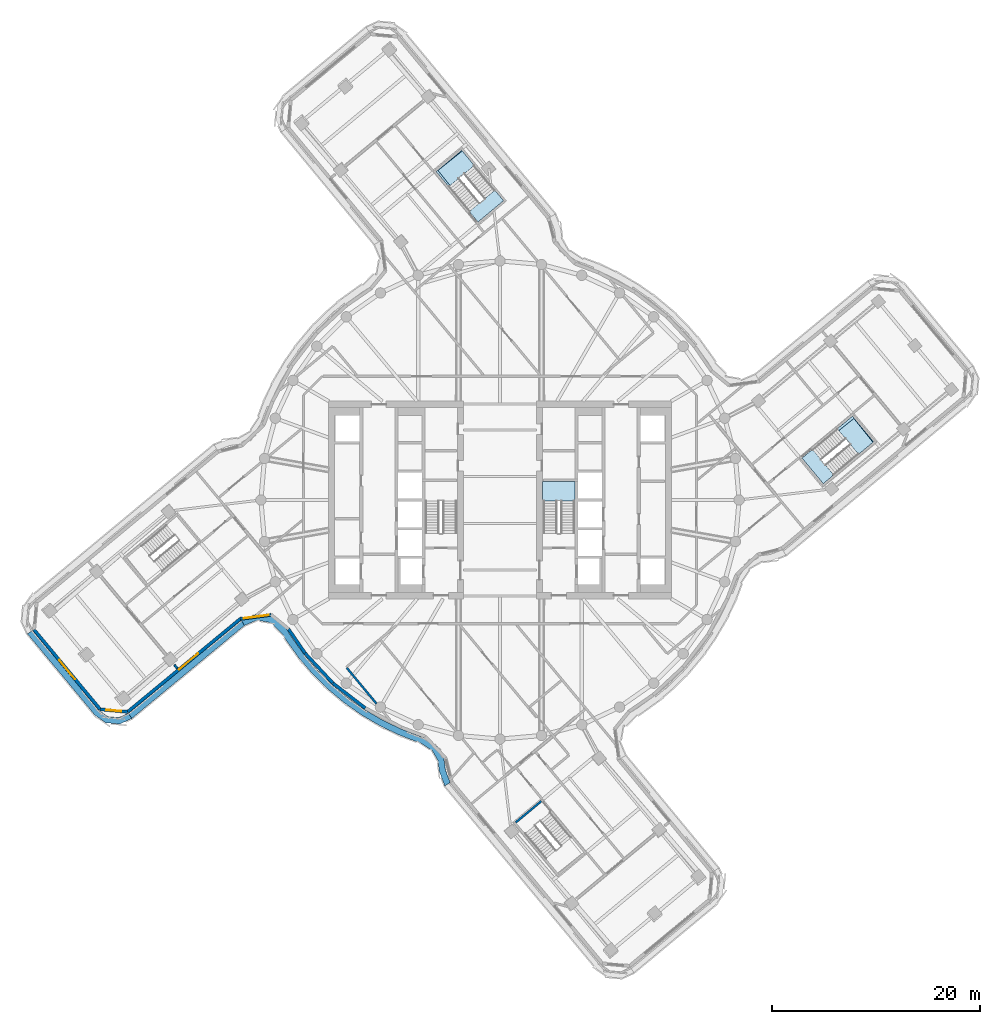
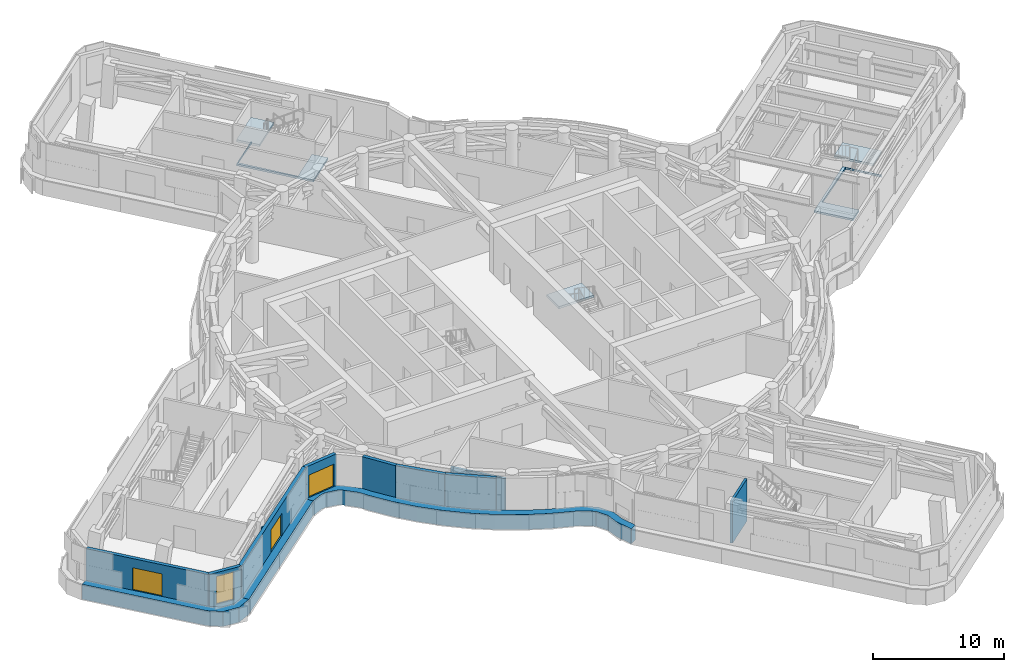
# One storey, part 6 of 22: 10 walls, 5 slabs, 4 windows, 3 members, 4 openings, 3 elements without a shape of their own.
"""IFC4 building model written with IfcOpenShell, lengths in metres."""

from ifc_helpers import new_model, si_unit, direction, frame, frame_2d, origin, place, context, subcontext, project, spatial, polyline, rectangle, outline, extrude, material, layer, layer_set, type_object, element, fill, aggregate, save


model = new_model("IFC4")

# Units and contexts
model_context = context("Model", 3, precision=1e-05, world=origin(), true_north=direction((0.0, 1.0)))
body_context = subcontext(model_context, "Body", "Model", "MODEL_VIEW")
ifc_project = project(units=[si_unit("LENGTHUNIT", "METRE"), si_unit("AREAUNIT", "SQUARE_METRE"), si_unit("VOLUMEUNIT", "CUBIC_METRE"), si_unit("PLANEANGLEUNIT", "RADIAN"), si_unit("MASSUNIT", "GRAM", prefix="KILO")], contexts=[model_context])

# Member
ifc_material_1 = material(Name="Aluminium and insulated spandrel panel", Category="aluminium")
member_type = type_object("IfcMemberType", Name="Floor-edge blade transom", PredefinedType="USERDEFINED", material=ifc_material_1)
site_placement = place(None, origin())
building_placement = place(site_placement, origin())
storey_placement = place(building_placement, frame((0.0, 0.0, 178.0)))
member_1_placement = place(storey_placement, origin())
member_1 = element("IfcMember", 1, at=member_1_placement, type_object=member_type, Name="CWT-L44-00", ObjectType="TRANSOM", PredefinedType="USERDEFINED", context=body_context, shape_type="SweptSolid", body=[
    extrude(outline(polyline([(-44.9443359375, -12.5517578125), (-38.556396484375, -20.245361328125), (-37.71142578125, -20.843505859375), (-36.6806640625, -20.939208984375), (-35.739990234375, -20.506591796875), (-35.41845703125, -21.01904296875), (-36.575927734375, -21.551513671875), (-37.927001953125, -21.42626953125), (-38.967529296875, -20.689453125), (-45.45654296875, -12.874267578125), (-44.9443359375, -12.5517578125)])), origin(), (0.0, 0.0, 1.0), 1.39990234375),
])

member_2_placement = place(storey_placement, origin())
member_2 = element("IfcMember", 2, at=member_2_placement, type_object=member_type, Name="CWT-L44-01", ObjectType="TRANSOM", PredefinedType="USERDEFINED", context=body_context, shape_type="SweptSolid", body=[
    extrude(outline(polyline([(-35.739990234375, -20.506591796875), (-24.895263671875, -11.555419921875), (-24.57958984375, -12.072998046875), (-35.41845703125, -21.01904296875), (-35.739990234375, -20.506591796875)])), origin(), (0.0, 0.0, 1.0), 1.39990234375),
])

member_3_placement = place(storey_placement, origin())
member_3 = element("IfcMember", 3, at=member_3_placement, type_object=member_type, Name="CWT-L44-02", ObjectType="TRANSOM", PredefinedType="USERDEFINED", context=body_context, shape_type="SweptSolid", body=[
    extrude(outline(polyline([(-24.895263671875, -11.555419921875), (-23.729248046875, -11.05517578125), (-23.177490234375, -10.989990234375), (-22.070556640625, -11.180419921875), (-21.572021484375, -11.426025390625), (-20.46044921875, -12.508544921875), (-20.031982421875, -13.2109375), (-18.87255859375, -14.820068359375), (-17.584228515625, -16.327880859375), (-16.17578125, -17.72412109375), (-14.656982421875, -18.99951171875), (-13.0380859375, -20.14501953125), (-11.329833984375, -21.15283203125), (-9.54443359375, -22.01611328125), (-7.7724609375, -22.703857421875), (-7.268798828125, -22.8828125), (-6.056640625, -23.691162109375), (-5.391357421875, -24.85693359375), (-5.250732421875, -25.955322265625), (-4.7900390625, -27.18896484375), (-5.316650390625, -27.494140625), (-5.837158203125, -26.100341796875), (-5.971435546875, -25.051025390625), (-6.50732421875, -24.11181640625), (-7.539794921875, -23.42333984375), (-7.9814453125, -23.266357421875), (-9.783935546875, -22.566650390625), (-11.613525390625, -21.68212890625), (-13.3642578125, -20.64892578125), (-15.023681640625, -19.474853515625), (-16.580810546875, -18.167724609375), (-18.0244140625, -16.736572265625), (-19.344970703125, -15.19091796875), (-20.5322265625, -13.54296875), (-20.93310546875, -12.885498046875), (-21.922607421875, -11.922119140625), (-22.2578125, -11.757080078125), (-23.193359375, -11.59619140625), (-23.572509765625, -11.640869140625), (-24.57958984375, -12.072998046875), (-24.895263671875, -11.555419921875)])), origin(), (0.0, 0.0, 1.0), 1.39990234375),
])

# Site, building, storey
site = spatial("IfcSite", under=ifc_project, at=site_placement, CompositionType="ELEMENT")
building = spatial("IfcBuilding", under=site, at=building_placement, Name="Tamarind Cross Interchange Tower", CompositionType="ELEMENT")
storey = spatial("IfcBuildingStorey", under=building, at=storey_placement, Name="L44", CompositionType="ELEMENT", Elevation=178.0)

# Slabs
ifc_material_2 = material(Name="Concrete C40", Category="concrete")
ifc_layer_1 = layer(ifc_material_2, 0.179931640625)
ifc_layer_set_1 = layer_set([ifc_layer_1], Name="Concrete C40")
slab_type_1 = type_object("IfcSlabType", Name="Composite slab 180 Concrete C40", PredefinedType="FLOOR", material=ifc_layer_set_1)
slab_1_placement = place(storey_placement, frame((0.0, 0.0, -0.179931640625)))
element("IfcSlab", 4, at=slab_1_placement, inside=storey, type_object=slab_type_1, Name="Floor slab L44", PredefinedType="FLOOR", context=body_context, shape_type="SweptSolid", body=[
    extrude(outline(polyline([(-3.67919921875, 33.63232421875), (-6.141357421875, 31.588134765625), (-2.116943359375, 26.7412109375), (0.34521484375, 28.785400390625), (-0.440185546875, 29.73095703125), (-0.492919921875, 29.794921875), (-2.8662109375, 27.82421875), (-5.965576171875, 31.698486328125), (-3.626953125, 33.5693359375), (-3.67919921875, 33.63232421875)])), origin(), (0.0, 0.0, 1.0), 0.179931640625),
])
slab_2_placement = place(storey_placement, frame((0.0, 0.0, -0.179931640625)))
element("IfcSlab", 5, at=slab_2_placement, inside=storey, type_object=slab_type_1, Name="Floor slab L44", PredefinedType="FLOOR", context=body_context, shape_type="SweptSolid", body=[
    extrude(outline(polyline([(34.041259765625, 7.839599609375), (35.877685546875, 5.543701171875), (35.9404296875, 5.595703125), (33.896484375, 8.0576171875), (29.04931640625, 4.033203125), (31.093505859375, 1.5712890625), (32.102783203125, 2.409423828125), (30.16748046875, 4.740478515625), (34.041259765625, 7.839599609375)])), origin(), (0.0, 0.0, 1.0), 0.179931640625),
])

# Stair, slab
ifc_material_3 = material(Name="Exit stair")
stair_type = type_object("IfcStairType", Name="Exit stair", PredefinedType="HALF_TURN_STAIR", material=ifc_material_3)
stair_1_placement = place(storey_placement, origin())
stair_1 = element("IfcStair", 6, at=stair_1_placement, inside=storey, type_object=stair_type, Name="L44 exit stair ST2", PredefinedType="HALF_TURN_STAIR")
ifc_layer_2 = layer(ifc_material_2, 0.199951171875)
ifc_layer_set_2 = layer_set([ifc_layer_2], Name="Concrete C40")
slab_type_2 = type_object("IfcSlabType", Name="Stair landing", PredefinedType="LANDING", material=ifc_layer_set_2)
slab_3_placement = place(storey_placement, frame((0.0, 0.0, 2.050048828125)))
slab_3 = element("IfcSlab", 7, at=slab_3_placement, type_object=slab_type_2, Name="ST2 landing 1", PredefinedType="LANDING", context=body_context, shape_type="SweptSolid", body=[
    extrude(outline(polyline([(7.199951171875, -0.080078125), (7.199951171875, 1.800048828125), (4.10009765625, 1.800048828125), (4.10009765625, -0.080078125), (7.199951171875, -0.080078125)])), origin(), (0.0, 0.0, 1.0), 0.199951171875),
])
aggregate(stair_1, [slab_3])

stair_2_placement = place(storey_placement, origin())
stair_2 = element("IfcStair", 8, at=stair_2_placement, inside=storey, type_object=stair_type, Name="L44 exit stair ST3", PredefinedType="HALF_TURN_STAIR")
slab_4_placement = place(storey_placement, frame((0.0, 0.0, 2.050048828125)))
slab_4 = element("IfcSlab", 9, at=slab_4_placement, type_object=slab_type_2, Name="ST3 landing 1", PredefinedType="LANDING", context=body_context, shape_type="SweptSolid", body=[
    extrude(outline(polyline([(34.48486328125, 4.38720703125), (35.9404296875, 5.595703125), (33.896240234375, 8.0576171875), (32.440673828125, 6.84912109375), (34.48486328125, 4.38720703125)])), origin(), (0.0, 0.0, 1.0), 0.199951171875),
])
aggregate(stair_2, [slab_4])

stair_3_placement = place(storey_placement, origin())
stair_3 = element("IfcStair", 10, at=stair_3_placement, inside=storey, type_object=stair_type, Name="L44 exit stair ST4", PredefinedType="HALF_TURN_STAIR")
slab_5_placement = place(storey_placement, frame((0.0, 0.0, 2.050048828125)))
slab_5 = element("IfcSlab", 11, at=slab_5_placement, type_object=slab_type_2, Name="ST4 landing 1", PredefinedType="LANDING", context=body_context, shape_type="SweptSolid", body=[
    extrude(outline(polyline([(-2.470703125, 32.1767578125), (-3.679443359375, 33.63232421875), (-6.141357421875, 31.588134765625), (-4.9326171875, 30.132568359375), (-2.470703125, 32.1767578125)])), origin(), (0.0, 0.0, 1.0), 0.199951171875),
])
aggregate(stair_3, [slab_5])

# Walls
ifc_material_4 = material(Name="Gypsum board partition on steel studs", Category="steel")
ifc_layer_3 = layer(ifc_material_4, 0.199951171875)
ifc_layer_set_3 = layer_set([ifc_layer_3], Name="Gypsum board partition on steel studs")
wall_type_1 = type_object("IfcWallType", Name="Partition 200 mm EI 180", PredefinedType="PARTITIONING", material=ifc_layer_set_3)
wall_1_placement = place(storey_placement, frame((-31.31494140625, -15.8623046875, 0.0), z_axis=(0.0, 0.0, 1.0), x_axis=(0.63883766057, -0.769341564871, 0.0)))
element("IfcWall", 12, at=wall_1_placement, inside=storey, type_object=wall_type_1, Name="Partition L44-003", PredefinedType="PARTITIONING", context=body_context, shape_type="SweptSolid", body=[
    extrude(rectangle(XDim=0.4638671875, YDim=0.199951171875, at=frame_2d((0.23193359375, 0.0))), origin(), (0.0, 0.0, 1.0), 3.659912109375),
])
wall_2_placement = place(storey_placement, frame((-14.739013671875, -16.1455078125, 0.0), z_axis=(0.0, 0.0, 1.0), x_axis=(0.638759023873, -0.769406855584, 0.0)))
element("IfcWall", 13, at=wall_2_placement, inside=storey, type_object=wall_type_1, Name="Partition L44-006", PredefinedType="PARTITIONING", context=body_context, shape_type="SweptSolid", body=[
    extrude(rectangle(XDim=4.48486328125, YDim=0.199951171875, at=frame_2d((2.242431640625, 0.0))), origin(), (0.0, 0.0, 1.0), 3.659912109375),
])

# Wall, opening, window
ifc_material_5 = material(Name="Precast concrete C40", Category="concrete")
ifc_layer_4 = layer(ifc_material_5, 0.300048828125)
ifc_layer_set_4 = layer_set([ifc_layer_4], Name="Precast concrete C40")
wall_type_2 = type_object("IfcWallType", Name="Plant louvre wall", PredefinedType="SOLIDWALL", material=ifc_layer_set_4)
wall_3_placement = place(storey_placement, frame((-44.81640625, -12.470947265625, 0.0), z_axis=(0.0, 0.0, 1.0), x_axis=(0.638801916699, -0.769371244083, 0.0)))
wall_3 = element("IfcWall", 14, at=wall_3_placement, inside=storey, type_object=wall_type_2, Name="EXW-L44-00-00", PredefinedType="SOLIDWALL", context=body_context, shape_type="SweptSolid", body=[
    extrude(rectangle(XDim=9.96044921875, YDim=0.300048828125, at=frame_2d((4.980224609375, 0.0))), origin(), (0.0, 0.0, 1.0), 4.360107421875),
])
opening_1_placement = place(wall_3_placement, frame((3.800048828125, 0.0, 1.39990234375)))
opening_1 = element("IfcOpeningElement", 15, at=opening_1_placement, cuts=wall_3, Name="Opening W3", PredefinedType="OPENING", context=body_context, shape_type="SweptSolid", body=[
    extrude(rectangle(XDim=2.39990234375, YDim=2.10009765625, at=frame_2d((1.199951171875, 1.050048828125))), frame((0.0, 0.159912109375, 0.0), z_axis=(0.0, -1.0, 0.0), x_axis=(1.0, 0.0, 0.0)), (0.0, 0.0, 1.0), 0.320068359375),
])
ifc_material_6 = material(Name="Aluminium and fire-resisting glass", Category="aluminium")
window_type_1 = type_object("IfcWindowType", Name="Refuge rescue window", PartitioningType="DOUBLE_PANEL_VERTICAL", PredefinedType="WINDOW", material=ifc_material_6)
window_1_placement = place(opening_1_placement, origin())
window_1 = element("IfcWindow", 16, at=window_1_placement, inside=storey, type_object=window_type_1, Name="RSW-L44-00-06", OverallHeight=2.10009765625, OverallWidth=2.39990234375, PartitioningType="SINGLE_PANEL", PredefinedType="WINDOW", context=body_context, shape_type="SweptSolid", body=[
    extrude(rectangle(XDim=2.39990234375, YDim=2.10009765625, at=frame_2d((1.199951171875, 1.050048828125))), frame((0.0, 0.030029296875, 0.0), z_axis=(0.0, -1.0, 0.0), x_axis=(1.0, 0.0, 0.0)), (0.0, 0.0, 1.0), 0.06005859375),
])
fill(opening_1, window_1)

aggregate(wall_3, [member_1])

wall_4_placement = place(storey_placement, frame((-38.45361328125, -20.13427734375, 0.0), z_axis=(0.0, 0.0, 1.0), x_axis=(0.995728893751, -0.092325349444, 0.0)))
wall_4 = element("IfcWall", 17, at=wall_4_placement, inside=storey, type_object=wall_type_2, Name="EXW-L44-00-01", PredefinedType="SOLIDWALL", context=body_context, shape_type="SweptSolid", body=[
    extrude(rectangle(XDim=2.644287109375, YDim=0.300048828125, at=frame_2d((1.322265625, 0.0))), origin(), (0.0, 0.0, 1.0), 4.360107421875),
])
opening_2_placement = place(wall_4_placement, frame((0.60009765625, 0.0, 1.39990234375)))
opening_2 = element("IfcOpeningElement", 18, at=opening_2_placement, cuts=wall_4, Name="Opening W2", PredefinedType="OPENING", context=body_context, shape_type="SweptSolid", body=[
    extrude(rectangle(XDim=1.4443359375, YDim=2.60009765625, at=frame_2d((0.72216796875, 1.300048828125))), frame((0.0, 0.159912109375, 0.0), z_axis=(0.0, -1.0, 0.0), x_axis=(1.0, 0.0, 0.0)), (0.0, 0.0, 1.0), 0.320068359375),
])
ifc_material_7 = material(Name="Aluminium louvre", Category="aluminium")
window_type_2 = type_object("IfcWindowType", Name="Plant louvre bank", PartitioningType="SINGLE_PANEL", PredefinedType="WINDOW", material=ifc_material_7)
window_2_placement = place(opening_2_placement, origin())
window_2 = element("IfcWindow", 19, at=window_2_placement, inside=storey, type_object=window_type_2, Name="WIN-L44-00-01", OverallHeight=2.60009765625, OverallWidth=1.4443359375, PartitioningType="SINGLE_PANEL", PredefinedType="WINDOW", context=body_context, shape_type="SweptSolid", body=[
    extrude(rectangle(XDim=1.4443359375, YDim=2.60009765625, at=frame_2d((0.72216796875, 1.300048828125))), frame((0.0, 0.030029296875, 0.0), z_axis=(0.0, -1.0, 0.0), x_axis=(1.0, 0.0, 0.0)), (0.0, 0.0, 1.0), 0.06005859375),
])
fill(opening_2, window_2)

wall_5_placement = place(storey_placement, frame((-35.820556640625, -20.37841796875, 0.0), z_axis=(0.0, 0.0, 1.0), x_axis=(0.771230735656, 0.63655569464, 0.0)))
wall_5 = element("IfcWall", 20, at=wall_5_placement, inside=storey, type_object=wall_type_2, Name="EXW-L44-01-00", PredefinedType="SOLIDWALL", context=body_context, shape_type="SweptSolid", body=[
    extrude(rectangle(XDim=14.063720703125, YDim=0.300048828125, at=frame_2d((7.03173828125, 0.0))), origin(), (0.0, 0.0, 1.0), 4.360107421875),
])
opening_3_placement = place(wall_5_placement, frame((6.39990234375, 0.0, 1.39990234375)))
opening_3 = element("IfcOpeningElement", 21, at=opening_3_placement, cuts=wall_5, Name="Opening W3", PredefinedType="OPENING", context=body_context, shape_type="SweptSolid", body=[
    extrude(rectangle(XDim=2.39990234375, YDim=2.10009765625, at=frame_2d((1.199951171875, 1.050048828125))), frame((0.0, 0.159912109375, 0.0), z_axis=(0.0, -1.0, 0.0), x_axis=(1.0, 0.0, 0.0)), (0.0, 0.0, 1.0), 0.320068359375),
])
window_3_placement = place(opening_3_placement, origin())
window_3 = element("IfcWindow", 22, at=window_3_placement, inside=storey, type_object=window_type_1, Name="RSW-L44-01-06", OverallHeight=2.10009765625, OverallWidth=2.39990234375, PartitioningType="SINGLE_PANEL", PredefinedType="WINDOW", context=body_context, shape_type="SweptSolid", body=[
    extrude(rectangle(XDim=2.39990234375, YDim=2.10009765625, at=frame_2d((1.199951171875, 1.050048828125))), frame((0.0, 0.030029296875, 0.0), z_axis=(0.0, -1.0, 0.0), x_axis=(1.0, 0.0, 0.0)), (0.0, 0.0, 1.0), 0.06005859375),
])
fill(opening_3, window_3)

aggregate(wall_5, [member_2])

wall_6_placement = place(storey_placement, frame((-24.97412109375, -11.426025390625, 0.0), z_axis=(0.0, 0.0, 1.0), x_axis=(0.991381265138, 0.131008347573, 0.0)))
wall_6 = element("IfcWall", 23, at=wall_6_placement, inside=storey, type_object=wall_type_2, Name="EXW-L44-02-00", PredefinedType="SOLIDWALL", context=body_context, shape_type="SweptSolid", body=[
    extrude(rectangle(XDim=2.97607421875, YDim=0.300048828125, at=frame_2d((1.488037109375, 0.0))), origin(), (0.0, 0.0, 1.0), 4.360107421875),
])
opening_4_placement = place(wall_6_placement, frame((0.35009765625, 0.0, 1.39990234375)))
opening_4 = element("IfcOpeningElement", 24, at=opening_4_placement, cuts=wall_6, Name="Opening W3", PredefinedType="OPENING", context=body_context, shape_type="SweptSolid", body=[
    extrude(rectangle(XDim=2.39990234375, YDim=2.10009765625, at=frame_2d((1.199951171875, 1.050048828125))), frame((0.0, 0.159912109375, 0.0), z_axis=(0.0, -1.0, 0.0), x_axis=(1.0, 0.0, 0.0)), (0.0, 0.0, 1.0), 0.320068359375),
])
window_4_placement = place(opening_4_placement, origin())
window_4 = element("IfcWindow", 25, at=window_4_placement, inside=storey, type_object=window_type_1, Name="RSW-L44-02-11", OverallHeight=2.10009765625, OverallWidth=2.39990234375, PartitioningType="SINGLE_PANEL", PredefinedType="WINDOW", context=body_context, shape_type="SweptSolid", body=[
    extrude(rectangle(XDim=2.39990234375, YDim=2.10009765625, at=frame_2d((1.199951171875, 1.050048828125))), frame((0.0, 0.030029296875, 0.0), z_axis=(0.0, -1.0, 0.0), x_axis=(1.0, 0.0, 0.0)), (0.0, 0.0, 1.0), 0.06005859375),
])
fill(opening_4, window_4)

aggregate(wall_6, [member_3])

# Walls
wall_7_placement = place(storey_placement, frame((-20.34228515625, -12.414306640625, 0.0), z_axis=(0.0, 0.0, 1.0), x_axis=(0.56597472468, -0.824422592499, 0.0)))
element("IfcWall", 26, at=wall_7_placement, inside=storey, type_object=wall_type_2, Name="EXW-L44-02-02", PredefinedType="SOLIDWALL", context=body_context, shape_type="SweptSolid", body=[
    extrude(rectangle(XDim=2.8056640625, YDim=0.300048828125, at=frame_2d((1.40283203125, 0.0))), origin(), (0.0, 0.0, 1.0), 4.360107421875),
])
wall_8_placement = place(storey_placement, frame((-18.75439453125, -14.727294921875, 0.0), z_axis=(0.0, 0.0, 1.0), x_axis=(0.680429698926, -0.732813362883, 0.0)))
element("IfcWall", 27, at=wall_8_placement, inside=storey, type_object=wall_type_2, Name="EXW-L44-02-03", PredefinedType="SOLIDWALL", context=body_context, shape_type="SweptSolid", body=[
    extrude(rectangle(XDim=3.938232421875, YDim=0.300048828125, at=frame_2d((1.96923828125, 0.0))), origin(), (0.0, 0.0, 1.0), 4.360107421875),
])
wall_9_placement = place(storey_placement, frame((-16.07470703125, -17.61328125, 0.0), z_axis=(0.0, 0.0, 1.0), x_axis=(0.79179596038, -0.610785688376, 0.0)))
element("IfcWall", 28, at=wall_9_placement, inside=storey, type_object=wall_type_2, Name="EXW-L44-02-04", PredefinedType="SOLIDWALL", context=body_context, shape_type="SweptSolid", body=[
    extrude(rectangle(XDim=3.9384765625, YDim=0.300048828125, at=frame_2d((1.96923828125, 0.0))), origin(), (0.0, 0.0, 1.0), 4.360107421875),
])
ifc_layer_5 = layer(ifc_material_2, 0.199951171875)
ifc_layer_set_5 = layer_set([ifc_layer_5], Name="Concrete C40")
wall_type_3 = type_object("IfcWallType", Name="Stair shaft wall 200 mm Concrete C40", PredefinedType="SHEAR", material=ifc_layer_set_5)
wall_10_placement = place(storey_placement, frame((1.50732421875, -31.0166015625, -0.179931640625), z_axis=(0.0, 0.0, 1.0), x_axis=(0.769389368289, 0.638780087326, 0.0)))
element("IfcWall", 29, at=wall_10_placement, inside=storey, type_object=wall_type_3, Name="Core wall CWL-L44-ST6-CE", PredefinedType="SHEAR", context=body_context, shape_type="SweptSolid", body=[
    extrude(rectangle(XDim=3.2001953125, YDim=0.199951171875, at=frame_2d((1.60009765625, 0.0))), origin(), (0.0, 0.0, 1.0), 3.94384765625),
])

save(model, "model.ifc")
